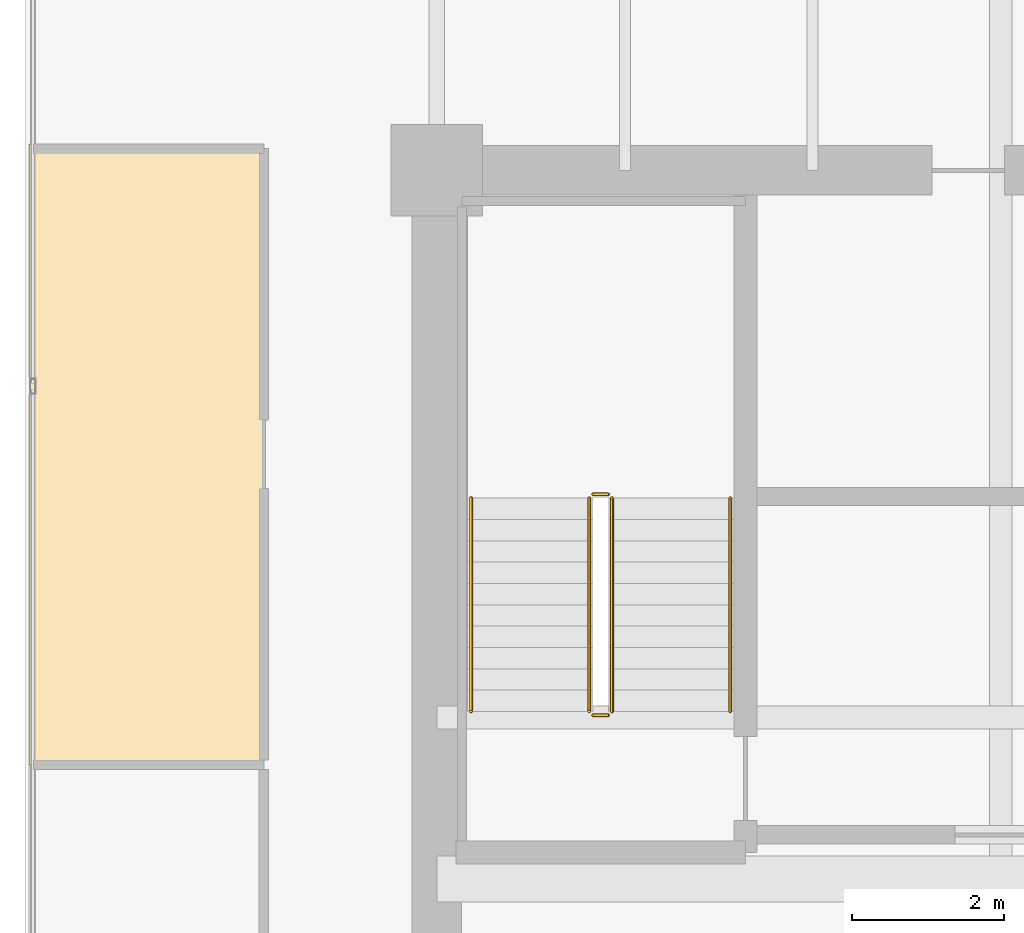
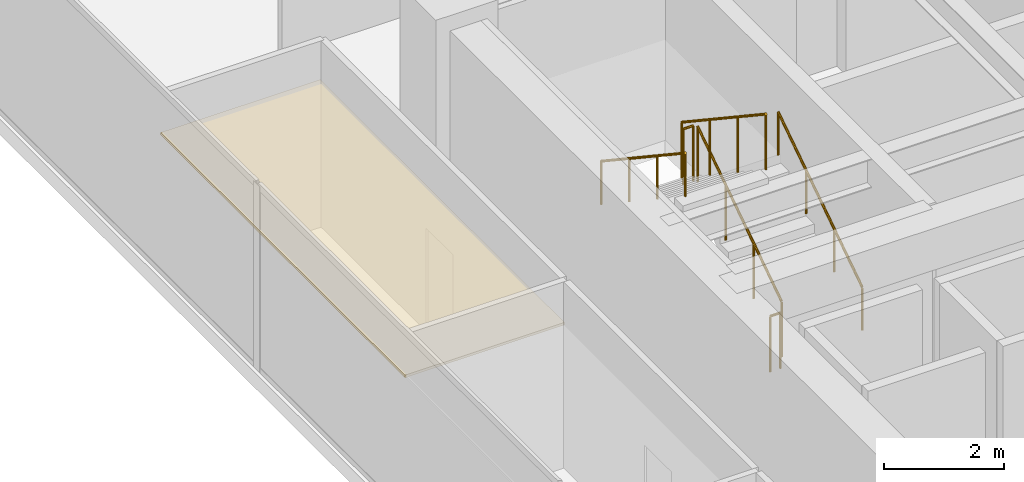
# One storey, part 31 of 34: 6 railings, 1 covering.
"""IFC4 building model written with IfcOpenShell, lengths in metres."""

from ifc_helpers import new_model, si_unit, direction, frame, origin, origin_2d, place, context, subcontext, project, spatial, polyline, circle, outline, extrude, source, transform, mapped, material, layer, layer_set, type_object, type_shapes, element, save


model = new_model("IFC4")

# Units and contexts
model_context = context("Model", 3, precision=1e-05, world=origin(), true_north=direction((0.0, 1.0)))
body_context = subcontext(model_context, "Body", "Model", "MODEL_VIEW")
ifc_project = project(units=[si_unit("LENGTHUNIT", "METRE"), si_unit("AREAUNIT", "SQUARE_METRE"), si_unit("VOLUMEUNIT", "CUBIC_METRE"), si_unit("PLANEANGLEUNIT", "RADIAN"), si_unit("MASSUNIT", "GRAM", prefix="KILO")], contexts=[model_context])

# Site, building, storey
site_placement = place(None, origin())
site = spatial("IfcSite", under=ifc_project, at=site_placement, CompositionType="ELEMENT")
building_placement = place(site_placement, origin())
building = spatial("IfcBuilding", under=site, at=building_placement, Name="Haelvirn Gate Laboratories", CompositionType="ELEMENT")
storey_placement = place(building_placement, frame((0.0, 0.0, 178.89990234375)))
storey = spatial("IfcBuildingStorey", under=building, at=storey_placement, Name="L43", CompositionType="ELEMENT", Elevation=178.89990234375)

# Covering
ifc_material_1 = material(Name="Washable cleanroom gasketed aluminium ceiling", Category="aluminium")
ifc_layer = layer(ifc_material_1, 0.050048828125, Name="COV-CEIL-CLN")
ifc_layer_set = layer_set([ifc_layer], Name="Washable cleanroom gasketed aluminium ceiling")
covering_type = type_object("IfcCoveringType", Name="COV-CEIL-CLN", PredefinedType="CEILING", material=ifc_layer_set)
covering_placement = place(storey_placement, frame((0.0, 0.0, 2.860107421875)))
element("IfcCovering", 1, at=covering_placement, inside=storey, type_object=covering_type, Name="L43 Laboratory Acoustic Ceiling CEIL-SP-L43-WCELL-03", PredefinedType="CEILING", context=body_context, shape_type="SweptSolid", body=[
    extrude(outline(polyline([(2.050048828125, 34.14501953125), (5.1201171875, 34.14501953125), (5.1201171875, 26.0), (2.050048828125, 26.0), (2.050048828125, 34.14501953125)])), origin(), (0.0, 0.0, 1.0), 0.050048828125),
])

# Railings
ifc_material_2 = material(Name="Galvanised steel SM355 & stainless top rail", Category="steel")
railing_type_1 = type_object("IfcRailingType", Name="RL-GUARD-1150", PredefinedType="GUARDRAIL", material=ifc_material_2)
shared_shape_1 = source(origin(), body_context, "Body", "SweptSolid", [
    extrude(circle(Radius=0.02392578125, at=origin_2d()), frame((0.0, 0.0, 1.1259765625), z_axis=(-1.0, 0.0, 0.0), x_axis=(0.0, -1.0, 0.0)), (0.0, 0.0, 1.0), 0.199951171875),
    extrude(circle(Radius=0.02099609375, at=origin_2d()), origin(), (0.0, 0.0, 1.0), 1.101806640625),
    extrude(circle(Radius=0.02099609375, at=origin_2d()), frame((-0.199951171875, 0.0, 0.0)), (0.0, 0.0, 1.0), 1.101806640625),
])
for number, where, name in (
    (2, (9.64990234375, 29.550048828125, 2.050048828125), "L43 ST1 stair guard 2"),
    (3, (9.64990234375, 26.64990234375, 0.0), "L43 ST1 stair guard 4"),
):
    element("IfcRailing", number, at=place(storey_placement, frame(where)), inside=storey, type_object=railing_type_1, Name=name, PredefinedType="GUARDRAIL", context=body_context, shape_type="MappedRepresentation", body=[
        mapped(shared_shape_1, transform((0.0, 0.0, 0.0), scale=1.0)),
    ])
shared_shape_2 = source(origin(), body_context, "Body", "SweptSolid", [
    extrude(circle(Radius=0.02392578125, at=origin_2d()), frame((0.0, 0.0, 1.1259765625), z_axis=(0.0, 0.832485552168, 0.554046753832), x_axis=(-1.0, 0.0, 0.0)), (0.0, 0.0, 1.0), 3.363525390625),
    extrude(circle(Radius=0.02099609375, at=origin_2d()), origin(), (0.0, 0.0, 1.0), 1.101806640625),
    extrude(circle(Radius=0.02099609375, at=origin_2d()), frame((0.0, 0.933349609375, 0.62109375)), (0.0, 0.0, 1.0), 1.101806640625),
    extrude(circle(Radius=0.02099609375, at=origin_2d()), frame((0.0, 1.86669921875, 1.242431640625)), (0.0, 0.0, 1.0), 1.101806640625),
    extrude(circle(Radius=0.02099609375, at=origin_2d()), frame((0.0, 2.800048828125, 1.863525390625)), (0.0, 0.0, 1.0), 1.101806640625),
])
railing_1_placement = place(storey_placement, frame((9.699951171875, 26.699951171875, 0.1865234375)))
element("IfcRailing", 4, at=railing_1_placement, inside=storey, type_object=railing_type_1, Name="L43 ST1 stair guard 1", PredefinedType="GUARDRAIL", context=body_context, shape_type="MappedRepresentation", body=[
    mapped(shared_shape_2, transform((0.0, 0.0, 0.0), scale=1.0)),
])
ifc_material_3 = material(Name="Brushed stainless steel 316L", Category="steel")
railing_type_2 = type_object("IfcRailingType", Name="RL-HAND-920", PredefinedType="HANDRAIL", material=ifc_material_3)
shared_shape_3 = source(origin(), body_context, "Body", "SweptSolid", [
    extrude(circle(Radius=0.02392578125, at=origin_2d()), frame((0.0, 0.0, 0.8759765625), z_axis=(0.0, 0.832485552168, 0.554046753832), x_axis=(-1.0, 0.0, 0.0)), (0.0, 0.0, 1.0), 3.363525390625),
    extrude(circle(Radius=0.02099609375, at=origin_2d()), origin(), (0.0, 0.0, 1.0), 0.851806640625),
    extrude(circle(Radius=0.02099609375, at=origin_2d()), frame((0.0, 0.933349609375, 0.62109375)), (0.0, 0.0, 1.0), 0.851806640625),
    extrude(circle(Radius=0.02099609375, at=origin_2d()), frame((0.0, 1.86669921875, 1.242431640625)), (0.0, 0.0, 1.0), 0.851806640625),
    extrude(circle(Radius=0.02099609375, at=origin_2d()), frame((0.0, 2.800048828125, 1.863525390625)), (0.0, 0.0, 1.0), 0.851806640625),
])
railing_2_placement = place(storey_placement, frame((11.25, 26.699951171875, 0.1865234375)))
element("IfcRailing", 5, at=railing_2_placement, inside=storey, type_object=railing_type_2, Name="L43 ST1 stair handrail 1", PredefinedType="HANDRAIL", context=body_context, shape_type="MappedRepresentation", body=[
    mapped(shared_shape_3, transform((0.0, 0.0, 0.0), scale=1.0)),
])
shared_shape_4 = source(origin(), body_context, "Body", "SweptSolid", [
    extrude(circle(Radius=0.02392578125, at=origin_2d()), frame((0.0, 0.0, 1.1259765625), z_axis=(0.0, -0.832485552168, 0.554046753832), x_axis=(1.0, 0.0, 0.0)), (0.0, 0.0, 1.0), 3.363525390625),
    extrude(circle(Radius=0.02099609375, at=origin_2d()), origin(), (0.0, 0.0, 1.0), 1.101806640625),
    extrude(circle(Radius=0.02099609375, at=origin_2d()), frame((0.0, -0.933349609375, 0.62109375)), (0.0, 0.0, 1.0), 1.101806640625),
    extrude(circle(Radius=0.02099609375, at=origin_2d()), frame((0.0, -1.86669921875, 1.242431640625)), (0.0, 0.0, 1.0), 1.101806640625),
    extrude(circle(Radius=0.02099609375, at=origin_2d()), frame((0.0, -2.800048828125, 1.863525390625)), (0.0, 0.0, 1.0), 1.101806640625),
])
type_shapes(railing_type_1, [shared_shape_1, shared_shape_2, shared_shape_4])
railing_3_placement = place(storey_placement, frame((9.39990234375, 29.5, 2.236572265625)))
element("IfcRailing", 6, at=railing_3_placement, inside=storey, type_object=railing_type_1, Name="L43 ST1 stair guard 3", PredefinedType="GUARDRAIL", context=body_context, shape_type="MappedRepresentation", body=[
    mapped(shared_shape_4, transform((0.0, 0.0, 0.0), scale=1.0)),
])
shared_shape_5 = source(origin(), body_context, "Body", "SweptSolid", [
    extrude(circle(Radius=0.02392578125, at=origin_2d()), frame((0.0, 0.0, 0.8759765625), z_axis=(0.0, -0.832485552168, 0.554046753832), x_axis=(1.0, 0.0, 0.0)), (0.0, 0.0, 1.0), 3.363525390625),
    extrude(circle(Radius=0.02099609375, at=origin_2d()), origin(), (0.0, 0.0, 1.0), 0.851806640625),
    extrude(circle(Radius=0.02099609375, at=origin_2d()), frame((0.0, -0.933349609375, 0.62109375)), (0.0, 0.0, 1.0), 0.851806640625),
    extrude(circle(Radius=0.02099609375, at=origin_2d()), frame((0.0, -1.86669921875, 1.242431640625)), (0.0, 0.0, 1.0), 0.851806640625),
    extrude(circle(Radius=0.02099609375, at=origin_2d()), frame((0.0, -2.800048828125, 1.863525390625)), (0.0, 0.0, 1.0), 0.851806640625),
])
type_shapes(railing_type_2, [shared_shape_3, shared_shape_5])
railing_4_placement = place(storey_placement, frame((7.85009765625, 29.5, 2.236572265625)))
element("IfcRailing", 7, at=railing_4_placement, inside=storey, type_object=railing_type_2, Name="L43 ST1 stair handrail 2", PredefinedType="HANDRAIL", context=body_context, shape_type="MappedRepresentation", body=[
    mapped(shared_shape_5, transform((0.0, 0.0, 0.0), scale=1.0)),
])

save(model, "model.ifc")
